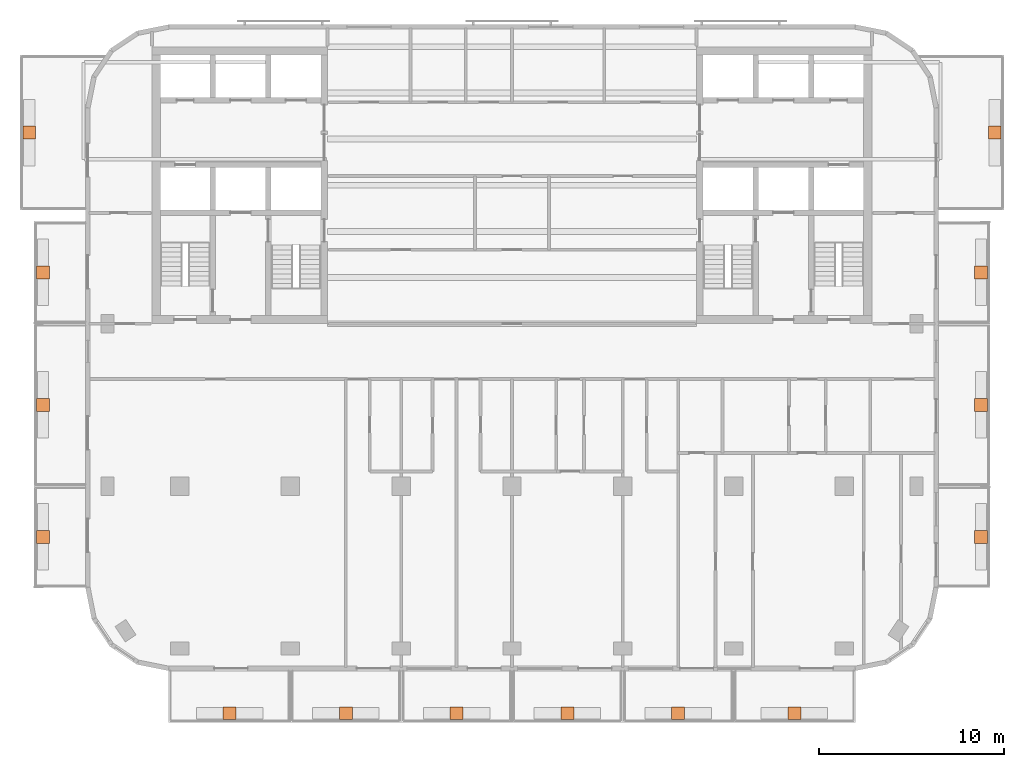
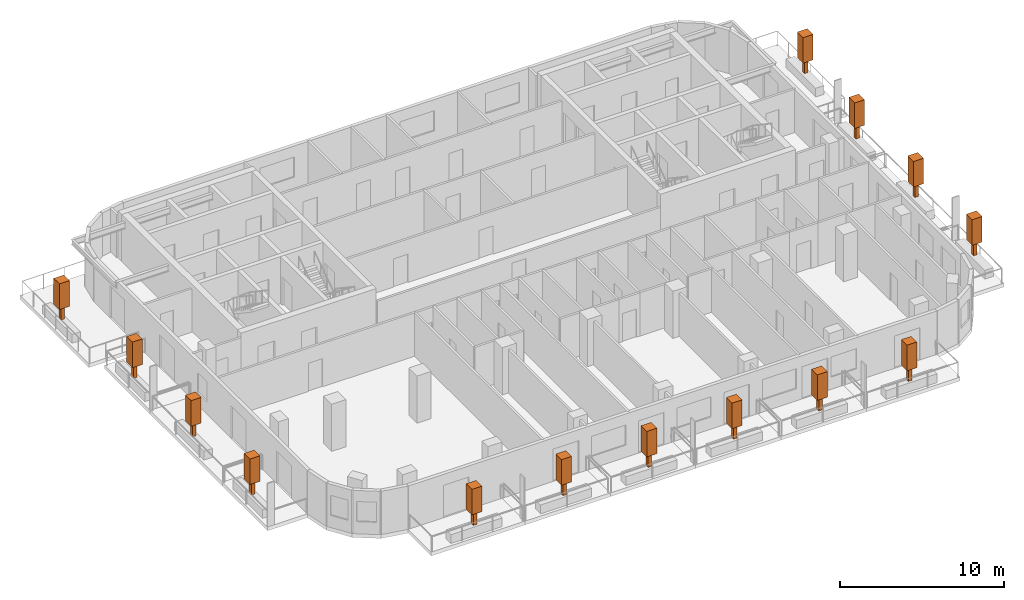
# One storey, part 11 of 11: 14 geographic elements.
"""IFC4 building model written with IfcOpenShell, lengths in metres."""

from ifc_helpers import new_model, si_unit, direction, frame, origin, origin_2d, place, context, subcontext, project, spatial, rectangle, extrude, material, element, save


model = new_model("IFC4")

# Units and contexts
model_context = context("Model", 3, precision=1e-05, world=origin(), true_north=direction((0.0, 1.0)))
body_context = subcontext(model_context, "Body", "Model", "MODEL_VIEW")
ifc_project = project(units=[si_unit("LENGTHUNIT", "METRE"), si_unit("AREAUNIT", "SQUARE_METRE"), si_unit("VOLUMEUNIT", "CUBIC_METRE"), si_unit("PLANEANGLEUNIT", "RADIAN"), si_unit("MASSUNIT", "GRAM", prefix="KILO")], contexts=[model_context])

# Site, building, storey
site_placement = place(None, origin())
site = spatial("IfcSite", under=ifc_project, at=site_placement, CompositionType="ELEMENT")
building_placement = place(site_placement, origin())
building = spatial("IfcBuilding", under=site, at=building_placement, Name="Torana Hotel and Residences", CompositionType="ELEMENT")
storey_placement = place(building_placement, frame((0.0, 0.0, 266.60009765625)))
storey = spatial("IfcBuildingStorey", under=building, at=storey_placement, Name="L70", CompositionType="ELEMENT", Elevation=266.60009765625)

# Geographic elements
ifc_material = material(Name="Foliage", Category="planting")
for number, where, z_axis, x_axis, name in (
    (1, (-15.300048828125, -36.10009765625, 0.64990234375), (0.0, 0.0, 1.0), (1.0, 0.0, 0.0), "Tree 01"),
    (2, (-9.0, -36.10009765625, 0.64990234375), (0.0, 0.0, 1.0), (1.0, 0.0, 0.0), "Tree 02"),
    (3, (-3.0, -36.10009765625, 0.64990234375), (0.0, 0.0, 1.0), (1.0, 0.0, 0.0), "Tree 03"),
    (4, (3.0, -36.10009765625, 0.64990234375), (0.0, 0.0, 1.0), (1.0, 0.0, 0.0), "Tree 04"),
    (5, (9.0, -36.10009765625, 0.64990234375), (0.0, 0.0, 1.0), (1.0, 0.0, 0.0), "Tree 05"),
    (6, (15.300048828125, -36.10009765625, 0.64990234375), (0.0, 0.0, 1.0), (1.0, 0.0, 0.0), "Tree 06"),
    (7, (-25.39990234375, -26.550048828125, 0.64990234375), (0.0, 0.0, 1.0), (1.0, 0.0, 0.0), "Tree 07"),
    (8, (-25.39990234375, -19.39990234375, 0.64990234375), (0.0, 0.0, 1.0), (1.0, 0.0, 0.0), "Tree 08"),
    (9, (-25.39990234375, -12.22509765625, 0.64990234375), (0.0, 0.0, 1.0), (1.0, 0.0, 0.0), "Tree 09"),
    (10, (-26.14990234375, -4.64990234375, 0.64990234375), (0.0, 0.0, 1.0), (1.0, 0.0, 0.0), "Tree 10"),
    (11, (25.39990234375, -26.550048828125, 0.64990234375), (0.0, 0.0, 1.0), (1.0, 0.0, 0.0), "Tree 11"),
    (12, (25.39990234375, -19.39990234375, 0.64990234375), (0.0, 0.0, 1.0), (1.0, 0.0, 0.0), "Tree 12"),
    (13, (25.39990234375, -12.22509765625, 0.64990234375), (0.0, 0.0, 1.0), (1.0, 0.0, 0.0), "Tree 13"),
    (14, (26.14990234375, -4.64990234375, 0.64990234375), (0.0, 0.0, 1.0), (1.0, 0.0, 0.0), "Tree 14"),
):
    element("IfcGeographicElement", number, at=place(storey_placement, frame(where, z_axis=z_axis, x_axis=x_axis)), inside=storey, material=ifc_material, Name=name, ObjectType="TREE", PredefinedType="USERDEFINED", context=body_context, shape_type="SweptSolid", body=[
        extrude(rectangle(XDim=0.25, YDim=0.25, at=origin_2d()), origin(), (0.0, 0.0, 1.0), 1.0),
        extrude(rectangle(XDim=0.699951171875, YDim=0.699951171875, at=origin_2d()), frame((0.0, 0.0, 1.0)), (0.0, 0.0, 1.0), 1.89990234375),
    ])

save(model, "model.ifc")
